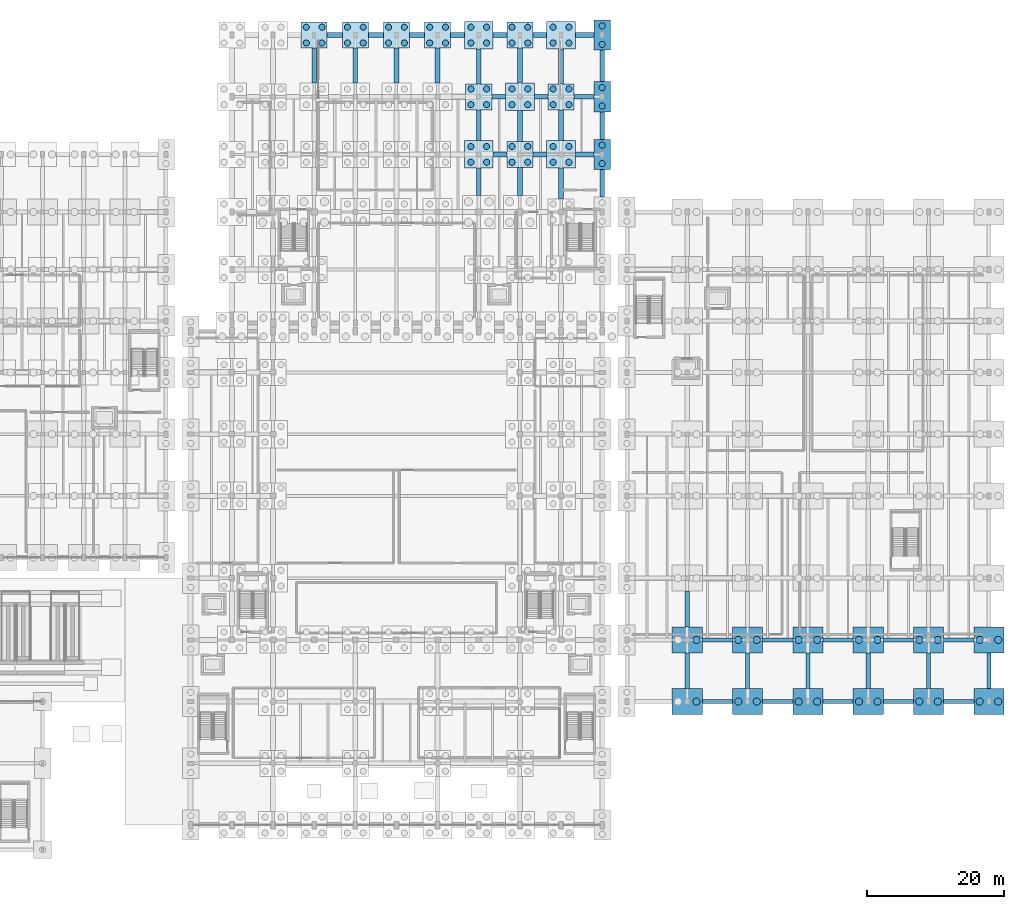
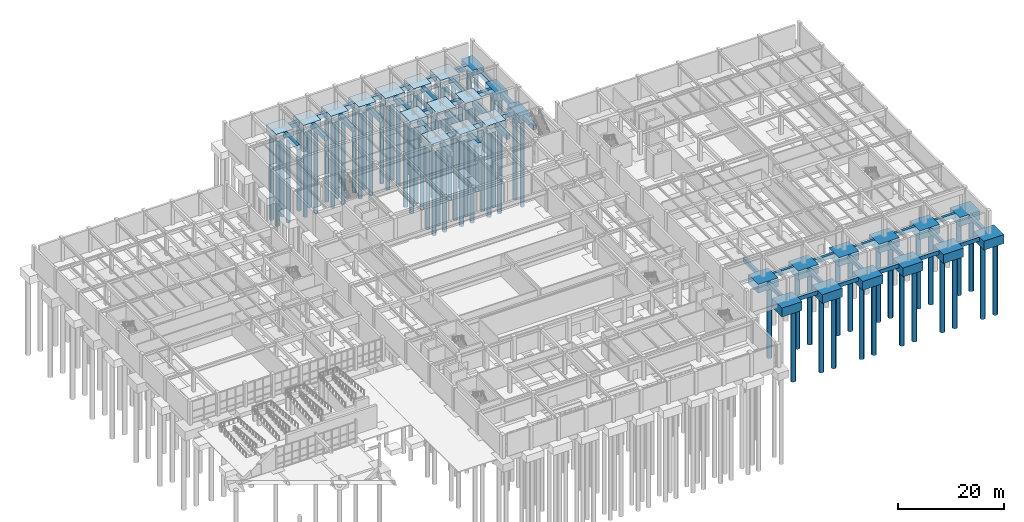
# One storey, part 9 of 69: 80 piles, 74 footings.
"""IFC4 building model written with IfcOpenShell, lengths in metres."""

import ifcopenshell
import ifcopenshell.guid

model = None  # the IFC model being written
_history = None  # IfcOwnerHistory: only IFC2X3 demands one
_inside = {}  # id of a spatial element -> (the spatial element, [elements in it])
_under = {}  # id of a project, library or spatial element -> (it, [spatial elements below it])
_declared = {}  # id of a project -> (the project, [libraries it declares])
_typed = {}  # id of a type object -> (the type object, [elements of that type])
_made_of = {}  # id of a material, layer set ... -> (it, [elements and type objects made of it])


def new_model(schema):
    """Start an empty IFC model of exactly this schema.

    Asked for "IFC4X3", IfcOpenShell would pick the latest addendum, in which some entities
    have other attributes; the version numbers below select the first issue.
    IFC2X3 requires an IfcOwnerHistory on every rooted entity: one is made here for all.
    """
    global model, _history
    if schema == "IFC4X3":
        model = ifcopenshell.file(schema_version=(4, 3, 0, 0))
    else:
        model = ifcopenshell.file(schema=schema)
    _inside.clear()
    _under.clear()
    _declared.clear()
    _typed.clear()
    _made_of.clear()
    _history = None
    if model.schema == "IFC2X3":
        org = make("IfcOrganization", Name="unknown")
        user = make(
            "IfcPersonAndOrganization",
            ThePerson=make("IfcPerson", FamilyName="unknown"),
            TheOrganization=org,
        )
        app = make(
            "IfcApplication",
            ApplicationDeveloper=org,
            Version="unknown",
            ApplicationFullName="unknown",
            ApplicationIdentifier="unknown",
        )
        _history = make(
            "IfcOwnerHistory",
            OwningUser=user,
            OwningApplication=app,
            ChangeAction="ADDED",
            CreationDate=0,
        )
    return model


def make(cls, **values):
    """One entity of the class cls with the attributes given. An attribute that is None is left unset."""
    return model.create_entity(
        cls, **{name: value for name, value in values.items() if value is not None}
    )


def rooted(cls, **values):
    """An entity with a GlobalId (a new one), such as an element, a storey or a relation."""
    return make(cls, GlobalId=ifcopenshell.guid.new(), OwnerHistory=_history, **values)


def si_unit(unit_type, name, prefix=None):
    """IfcSIUnit, for example si_unit("LENGTHUNIT", "METRE", prefix="MILLI")."""
    return make("IfcSIUnit", UnitType=unit_type, Prefix=prefix, Name=name)


def assignment(units):
    """IfcUnitAssignment: the units of a project."""
    return None if units is None else make("IfcUnitAssignment", Units=units)


def point(xyz):
    """IfcCartesianPoint."""
    return None if xyz is None else make("IfcCartesianPoint", Coordinates=xyz)


def direction(xyz):
    """IfcDirection."""
    return None if xyz is None else make("IfcDirection", DirectionRatios=xyz)


def frame(location, z_axis=None, x_axis=None):
    """IfcAxis2Placement3D, a coordinate frame: its origin and axes. An axis left out is left unset."""
    return make(
        "IfcAxis2Placement3D",
        Location=point(location),
        Axis=direction(z_axis),
        RefDirection=direction(x_axis),
    )


def frame_2d(location, x_axis=None):
    """IfcAxis2Placement2D, a coordinate frame in the plane: its origin and x axis."""
    return make(
        "IfcAxis2Placement2D", Location=point(location), RefDirection=direction(x_axis)
    )


def origin():
    """The frame at (0, 0, 0) with its axes left unset."""
    return frame((0.0, 0.0, 0.0))


def origin_2d():
    """The frame at (0, 0) in the plane with its x axis left unset."""
    return frame_2d((0.0, 0.0))


def place(relative_to, where):
    """IfcLocalPlacement: puts the frame where relative to a parent placement (None: the world)."""
    return make(
        "IfcLocalPlacement", PlacementRelTo=relative_to, RelativePlacement=where
    )


def context(
    kind, dimensions, precision=None, world=None, true_north=None, identifier=None
):
    """IfcGeometricRepresentationContext, for example the 3D "Model" context."""
    return make(
        "IfcGeometricRepresentationContext",
        ContextIdentifier=identifier,
        ContextType=kind,
        CoordinateSpaceDimension=dimensions,
        Precision=precision,
        WorldCoordinateSystem=world,
        TrueNorth=true_north,
    )


def subcontext(parent, identifier, kind, view, scale=None):
    """IfcGeometricRepresentationSubContext, for example "Body" below "Model"."""
    return make(
        "IfcGeometricRepresentationSubContext",
        ContextIdentifier=identifier,
        ContextType=kind,
        ParentContext=parent,
        TargetScale=scale,
        TargetView=view,
    )


def project(units=None, contexts=None):
    """IfcProject with its units and contexts."""
    return rooted(
        "IfcProject",
        Name="project",
        RepresentationContexts=contexts,
        UnitsInContext=assignment(units),
    )


def spatial(cls, under=None, at=None, **own):
    """A site, building, storey or space (cls), placed at a placement, below another one or the project."""
    s = rooted(cls, ObjectPlacement=at, **own)
    if under is not None:
        _under.setdefault(under.id(), (under, []))[1].append(s)
    return s


def profile(cls, at=None, kind="AREA", **sizes):
    """A parametric profile (cls). Its sizes go by their IFC names, for example OverallWidth=200.0."""
    return make(cls, ProfileType=kind, Position=at, **sizes)


def rectangle(**sizes):
    """IfcRectangleProfileDef."""
    return profile("IfcRectangleProfileDef", **sizes)


def circle(**sizes):
    """IfcCircleProfileDef."""
    return profile("IfcCircleProfileDef", **sizes)


def extrude(swept, where, along, depth):
    """IfcExtrudedAreaSolid: the profile swept, set in the frame where, extruded along a direction by depth."""
    return make(
        "IfcExtrudedAreaSolid",
        SweptArea=swept,
        Position=where,
        ExtrudedDirection=direction(along),
        Depth=depth,
    )


def shape(context_of_items, identifier, shape_type, items):
    """IfcShapeRepresentation: the items that make up one representation, for example the "Body"."""
    return make(
        "IfcShapeRepresentation",
        ContextOfItems=context_of_items,
        RepresentationIdentifier=identifier,
        RepresentationType=shape_type,
        Items=items,
    )


def material(Name=None, Category=None):
    """IfcMaterial."""
    return make("IfcMaterial", Name=Name, Category=Category)


def material_profile(
    of_material, cross_section, Name=None, Category=None, Priority=None
):
    """IfcMaterialProfile: a cross section and its material."""
    return make(
        "IfcMaterialProfile",
        Name=Name,
        Material=of_material,
        Profile=cross_section,
        Priority=Priority,
        Category=Category,
    )


def profile_set(profiles, Name=None, composite=None):
    """IfcMaterialProfileSet."""
    return make(
        "IfcMaterialProfileSet",
        Name=Name,
        MaterialProfiles=profiles,
        CompositeProfile=composite,
    )


def made_of(thing, what):
    """Note that an element or type object is made of a material, layer set ...; save() writes the relation."""
    if what is not None:
        _made_of.setdefault(what.id(), (what, []))[1].append(thing)
    return thing


def type_object(cls, material=None, **own):
    """A type object (cls), such as IfcWallType, which elements share."""
    return made_of(rooted(cls, **own), material)


def element(
    cls,
    number,
    at=None,
    inside=None,
    cuts=None,
    type_object=None,
    material=None,
    context=None,
    identifier="Body",
    shape_type=None,
    held_by="IfcProductDefinitionShape",
    body=None,
    shapes=None,
    **own,
):
    """One element of the class cls, such as IfcWall. Its Tag is "e" and its number.

    at: its placement. inside: the storey or other place that contains it. cuts: it is an
    opening in that element (IfcRelVoidsElement). A single representation is given by context,
    identifier, shape_type and body (its items); several are given by shapes. held_by: the class
    of the entity that holds the representations. save() writes the other relations.
    """
    e = rooted(cls, Tag="e%d" % number, ObjectPlacement=at, **own)
    if body is not None:
        shapes = [shape(context, identifier, shape_type, body)]
    if shapes is not None:
        e.Representation = make(held_by, Representations=shapes)
    if inside is not None:
        _inside.setdefault(inside.id(), (inside, []))[1].append(e)
    if cuts is not None:
        rooted(
            "IfcRelVoidsElement", RelatingBuildingElement=cuts, RelatedOpeningElement=e
        )
    if type_object is not None:
        _typed.setdefault(type_object.id(), (type_object, []))[1].append(e)
    return made_of(e, material)


def aggregate(whole, parts):
    """IfcRelAggregates: a whole, such as a stair, and the parts it consists of."""
    return rooted("IfcRelAggregates", RelatingObject=whole, RelatedObjects=parts)


def save(model, path):
    """Write the relations noted so far, then the file.

    IfcRelAggregates (storeys below a building ...), IfcRelContainedInSpatialStructure (elements
    in a storey), IfcRelDefinesByType, IfcRelAssociatesMaterial and IfcRelDeclares: one each for
    every whole, place, type object, material and project.
    """
    for whole, parts in _under.values():
        aggregate(whole, parts)
    for where, things in _inside.values():
        rooted(
            "IfcRelContainedInSpatialStructure",
            RelatedElements=things,
            RelatingStructure=where,
        )
    for kind, things in _typed.values():
        rooted("IfcRelDefinesByType", RelatedObjects=things, RelatingType=kind)
    for what, things in _made_of.values():
        rooted("IfcRelAssociatesMaterial", RelatedObjects=things, RelatingMaterial=what)
    for by, libraries in _declared.values():
        rooted("IfcRelDeclares", RelatingContext=by, RelatedDefinitions=libraries)
    model.write(path)


model = new_model("IFC4")

# Units and contexts
model_context = context("Model", 3, precision=1e-05, world=origin(), true_north=direction((0.0, 1.0)))
body_context = subcontext(model_context, "Body", "Model", "MODEL_VIEW")
ifc_project = project(units=[si_unit("LENGTHUNIT", "METRE"), si_unit("AREAUNIT", "SQUARE_METRE"), si_unit("VOLUMEUNIT", "CUBIC_METRE"), si_unit("PLANEANGLEUNIT", "RADIAN"), si_unit("MASSUNIT", "GRAM", prefix="KILO")], contexts=[model_context])

# Site, building, storey
site_placement = place(None, origin())
site = spatial("IfcSite", under=ifc_project, at=site_placement, CompositionType="ELEMENT")
building_placement = place(site_placement, origin())
building = spatial("IfcBuilding", under=site, at=building_placement, Name="Vaelkrest Opera House", CompositionType="ELEMENT")
storey_placement = place(building_placement, frame((0.0, 0.0, -5.39990234375)))
storey = spatial("IfcBuildingStorey", under=building, at=storey_placement, Name="B1", CompositionType="ELEMENT", Elevation=-5.39990234375)

# Footings
ifc_material = material(Name="Concrete C40/50", Category="concrete")
footing_type_1 = type_object("IfcFootingType", Name="FB01", PredefinedType="FOOTING_BEAM", material=ifc_material)
for number, where, z_axis, x_axis, name in (
    (1, (46.800048828125, -37.800048828125, -0.900146484375), (0.0, 0.0, 1.0), (1.0, 0.0, 0.0), "Footing tie beam FT-GB-0290"),
    (2, (55.60009765625, -37.800048828125, -0.900146484375), (0.0, 0.0, 1.0), (1.0, 0.0, 0.0), "Footing tie beam FT-GB-0291"),
    (3, (64.39990234375, -37.800048828125, -0.900146484375), (0.0, 0.0, 1.0), (1.0, 0.0, 0.0), "Footing tie beam FT-GB-0292"),
    (4, (73.199951171875, -37.800048828125, -0.900146484375), (0.0, 0.0, 1.0), (1.0, 0.0, 0.0), "Footing tie beam FT-GB-0293"),
    (5, (82.0, -37.800048828125, -0.900146484375), (0.0, 0.0, 1.0), (1.0, 0.0, 0.0), "Footing tie beam FT-GB-0294"),
    (6, (46.800048828125, -28.800048828125, -0.900146484375), (0.0, 0.0, 1.0), (1.0, 0.0, 0.0), "Footing tie beam FT-GB-0296"),
    (7, (55.60009765625, -28.800048828125, -0.900146484375), (0.0, 0.0, 1.0), (1.0, 0.0, 0.0), "Footing tie beam FT-GB-0297"),
    (8, (64.39990234375, -28.800048828125, -0.900146484375), (0.0, 0.0, 1.0), (1.0, 0.0, 0.0), "Footing tie beam FT-GB-0298"),
    (9, (73.199951171875, -28.800048828125, -0.900146484375), (0.0, 0.0, 1.0), (1.0, 0.0, 0.0), "Footing tie beam FT-GB-0299"),
    (10, (82.0, -28.800048828125, -0.900146484375), (0.0, 0.0, 1.0), (1.0, 0.0, 0.0), "Footing tie beam FT-GB-0300"),
):
    element("IfcFooting", number, at=place(storey_placement, frame(where, z_axis=z_axis, x_axis=x_axis)), inside=storey, type_object=footing_type_1, Name=name, PredefinedType="FOOTING_BEAM", context=body_context, shape_type="SweptSolid", body=[
        extrude(rectangle(XDim=4.39990234375, YDim=0.60009765625, at=origin_2d()), origin(), (0.0, 0.0, 1.0), 0.89990234375),
    ])
for number, where, z_axis, x_axis, name in (
    (11, (42.39990234375, -33.300048828125, -0.900146484375), (0.0, 0.0, 1.0), (0.0, 1.0, 0.0), "Footing tie beam FT-GB-0347"),
    (12, (42.39990234375, -24.300048828125, -0.900146484375), (0.0, 0.0, 1.0), (0.0, 1.0, 0.0), "Footing tie beam FT-GB-0348"),
    (13, (51.199951171875, -33.300048828125, -0.900146484375), (0.0, 0.0, 1.0), (0.0, 1.0, 0.0), "Footing tie beam FT-GB-0355"),
    (14, (60.0, -33.300048828125, -0.900146484375), (0.0, 0.0, 1.0), (0.0, 1.0, 0.0), "Footing tie beam FT-GB-0363"),
    (15, (68.800048828125, -33.300048828125, -0.900146484375), (0.0, 0.0, 1.0), (0.0, 1.0, 0.0), "Footing tie beam FT-GB-0368"),
    (16, (77.60009765625, -33.300048828125, -0.900146484375), (0.0, 0.0, 1.0), (0.0, 1.0, 0.0), "Footing tie beam FT-GB-0376"),
    (17, (86.39990234375, -33.300048828125, -0.900146484375), (0.0, 0.0, 1.0), (0.0, 1.0, 0.0), "Footing tie beam FT-GB-0384"),
):
    element("IfcFooting", number, at=place(storey_placement, frame(where, z_axis=z_axis, x_axis=x_axis)), inside=storey, type_object=footing_type_1, Name=name, PredefinedType="FOOTING_BEAM", context=body_context, shape_type="SweptSolid", body=[
        extrude(rectangle(XDim=5.199951171875, YDim=0.60009765625, at=origin_2d()), origin(), (0.0, 0.0, 1.0), 0.89990234375),
    ])
footing_type_2 = type_object("IfcFootingType", Name="FB02", PredefinedType="FOOTING_BEAM", material=ifc_material)
for number, where, z_axis, x_axis, name in (
    (18, (15.10009765625, 42.0, -1.05029296875), (0.0, 0.0, 1.0), (1.0, 0.0, 0.0), "Footing tie beam FT-GB-0124"),
    (19, (20.89990234375, 42.0, -1.05029296875), (0.0, 0.0, 1.0), (1.0, 0.0, 0.0), "Footing tie beam FT-GB-0125"),
):
    element("IfcFooting", number, at=place(storey_placement, frame(where, z_axis=z_axis, x_axis=x_axis)), inside=storey, type_object=footing_type_2, Name=name, PredefinedType="FOOTING_BEAM", context=body_context, shape_type="SweptSolid", body=[
        extrude(rectangle(XDim=2.0, YDim=0.699951171875, at=origin_2d()), origin(), (0.0, 0.0, 1.0), 1.050048828125),
    ])
footing_1_placement = place(storey_placement, frame((27.449951171875, 42.0, -1.05029296875), z_axis=(0.0, 0.0, 1.0), x_axis=(1.0, 0.0, 0.0)))
element("IfcFooting", 20, at=footing_1_placement, inside=storey, type_object=footing_type_2, Name="Footing tie beam FT-GB-0126", PredefinedType="FOOTING_BEAM", context=body_context, shape_type="SweptSolid", body=[
    extrude(rectangle(XDim=2.699951171875, YDim=0.699951171875, at=origin_2d()), origin(), (0.0, 0.0, 1.0), 1.050048828125),
])
for number, where, z_axis, x_axis, name in (
    (21, (14.89990234375, 50.39990234375, -1.05029296875), (0.0, 0.0, 1.0), (1.0, 0.0, 0.0), "Footing tie beam FT-GB-0133"),
    (22, (21.10009765625, 50.39990234375, -1.05029296875), (0.0, 0.0, 1.0), (1.0, 0.0, 0.0), "Footing tie beam FT-GB-0134"),
):
    element("IfcFooting", number, at=place(storey_placement, frame(where, z_axis=z_axis, x_axis=x_axis)), inside=storey, type_object=footing_type_2, Name=name, PredefinedType="FOOTING_BEAM", context=body_context, shape_type="SweptSolid", body=[
        extrude(rectangle(XDim=2.0, YDim=0.699951171875, at=origin_2d()), origin(), (0.0, 0.0, 1.0), 1.050048828125),
    ])
footing_2_placement = place(storey_placement, frame((27.35009765625, 50.39990234375, -1.05029296875), z_axis=(0.0, 0.0, 1.0), x_axis=(1.0, 0.0, 0.0)))
element("IfcFooting", 23, at=footing_2_placement, inside=storey, type_object=footing_type_2, Name="Footing tie beam FT-GB-0135", PredefinedType="FOOTING_BEAM", context=body_context, shape_type="SweptSolid", body=[
    extrude(rectangle(XDim=2.89990234375, YDim=0.699951171875, at=origin_2d()), origin(), (0.0, 0.0, 1.0), 1.050048828125),
])
for number, where, z_axis, x_axis, name in (
    (24, (-9.0, 59.39990234375, -1.05029296875), (0.0, 0.0, 1.0), (1.0, 0.0, 0.0), "Footing tie beam FT-GB-0138"),
    (25, (-3.0, 59.39990234375, -1.05029296875), (0.0, 0.0, 1.0), (1.0, 0.0, 0.0), "Footing tie beam FT-GB-0139"),
    (26, (3.0, 59.39990234375, -1.05029296875), (0.0, 0.0, 1.0), (1.0, 0.0, 0.0), "Footing tie beam FT-GB-0140"),
):
    element("IfcFooting", number, at=place(storey_placement, frame(where, z_axis=z_axis, x_axis=x_axis)), inside=storey, type_object=footing_type_2, Name=name, PredefinedType="FOOTING_BEAM", context=body_context, shape_type="SweptSolid", body=[
        extrude(rectangle(XDim=2.199951171875, YDim=0.699951171875, at=origin_2d()), origin(), (0.0, 0.0, 1.0), 1.050048828125),
    ])
for number, where, z_axis, x_axis, name in (
    (27, (8.89990234375, 59.39990234375, -1.05029296875), (0.0, 0.0, 1.0), (1.0, 0.0, 0.0), "Footing tie beam FT-GB-0141"),
    (28, (15.10009765625, 59.39990234375, -1.05029296875), (0.0, 0.0, 1.0), (1.0, 0.0, 0.0), "Footing tie beam FT-GB-0142"),
    (29, (20.89990234375, 59.39990234375, -1.05029296875), (0.0, 0.0, 1.0), (1.0, 0.0, 0.0), "Footing tie beam FT-GB-0143"),
):
    element("IfcFooting", number, at=place(storey_placement, frame(where, z_axis=z_axis, x_axis=x_axis)), inside=storey, type_object=footing_type_2, Name=name, PredefinedType="FOOTING_BEAM", context=body_context, shape_type="SweptSolid", body=[
        extrude(rectangle(XDim=2.0, YDim=0.699951171875, at=origin_2d()), origin(), (0.0, 0.0, 1.0), 1.050048828125),
    ])
footing_3_placement = place(storey_placement, frame((27.449951171875, 59.39990234375, -1.05029296875), z_axis=(0.0, 0.0, 1.0), x_axis=(1.0, 0.0, 0.0)))
element("IfcFooting", 30, at=footing_3_placement, inside=storey, type_object=footing_type_2, Name="Footing tie beam FT-GB-0144", PredefinedType="FOOTING_BEAM", context=body_context, shape_type="SweptSolid", body=[
    extrude(rectangle(XDim=2.699951171875, YDim=0.699951171875, at=origin_2d()), origin(), (0.0, 0.0, 1.0), 1.050048828125),
])
for number, where, z_axis, x_axis, name in (
    (31, (-12.0, 54.949951171875, -1.05029296875), (0.0, 0.0, 1.0), (0.0, 1.0, 0.0), "Footing tie beam FT-GB-0159"),
    (32, (-6.0, 54.949951171875, -1.05029296875), (0.0, 0.0, 1.0), (0.0, 1.0, 0.0), "Footing tie beam FT-GB-0162"),
    (33, (0.0, 54.949951171875, -1.05029296875), (0.0, 0.0, 1.0), (0.0, 1.0, 0.0), "Footing tie beam FT-GB-0165"),
    (34, (6.0, 54.949951171875, -1.05029296875), (0.0, 0.0, 1.0), (0.0, 1.0, 0.0), "Footing tie beam FT-GB-0168"),
):
    element("IfcFooting", number, at=place(storey_placement, frame(where, z_axis=z_axis, x_axis=x_axis)), inside=storey, type_object=footing_type_2, Name=name, PredefinedType="FOOTING_BEAM", context=body_context, shape_type="SweptSolid", body=[
        extrude(rectangle(XDim=5.10009765625, YDim=0.699951171875, at=origin_2d()), origin(), (0.0, 0.0, 1.0), 1.050048828125),
    ])
footing_4_placement = place(storey_placement, frame((12.0, 38.0, -1.05029296875), z_axis=(0.0, 0.0, 1.0), x_axis=(0.0, 1.0, 0.0)))
element("IfcFooting", 35, at=footing_4_placement, inside=storey, type_object=footing_type_2, Name="Footing tie beam FT-GB-0171", PredefinedType="FOOTING_BEAM", context=body_context, shape_type="SweptSolid", body=[
    extrude(rectangle(XDim=4.0, YDim=0.699951171875, at=origin_2d()), origin(), (0.0, 0.0, 1.0), 1.050048828125),
])
footing_5_placement = place(storey_placement, frame((12.0, 46.25, -1.05029296875), z_axis=(0.0, 0.0, 1.0), x_axis=(0.0, 1.0, 0.0)))
element("IfcFooting", 36, at=footing_5_placement, inside=storey, type_object=footing_type_2, Name="Footing tie beam FT-GB-0172", PredefinedType="FOOTING_BEAM", context=body_context, shape_type="SweptSolid", body=[
    extrude(rectangle(XDim=4.5, YDim=0.699951171875, at=origin_2d()), origin(), (0.0, 0.0, 1.0), 1.050048828125),
])
footing_6_placement = place(storey_placement, frame((12.0, 54.85009765625, -1.05029296875), z_axis=(0.0, 0.0, 1.0), x_axis=(0.0, 1.0, 0.0)))
element("IfcFooting", 37, at=footing_6_placement, inside=storey, type_object=footing_type_2, Name="Footing tie beam FT-GB-0173", PredefinedType="FOOTING_BEAM", context=body_context, shape_type="SweptSolid", body=[
    extrude(rectangle(XDim=5.10009765625, YDim=0.699951171875, at=origin_2d()), origin(), (0.0, 0.0, 1.0), 1.050048828125),
])
footing_7_placement = place(storey_placement, frame((18.0, 38.050048828125, -1.05029296875), z_axis=(0.0, 0.0, 1.0), x_axis=(0.0, 1.0, 0.0)))
element("IfcFooting", 38, at=footing_7_placement, inside=storey, type_object=footing_type_2, Name="Footing tie beam FT-GB-0176", PredefinedType="FOOTING_BEAM", context=body_context, shape_type="SweptSolid", body=[
    extrude(rectangle(XDim=4.10009765625, YDim=0.699951171875, at=origin_2d()), origin(), (0.0, 0.0, 1.0), 1.050048828125),
])
footing_8_placement = place(storey_placement, frame((18.0, 46.14990234375, -1.05029296875), z_axis=(0.0, 0.0, 1.0), x_axis=(0.0, 1.0, 0.0)))
element("IfcFooting", 39, at=footing_8_placement, inside=storey, type_object=footing_type_2, Name="Footing tie beam FT-GB-0177", PredefinedType="FOOTING_BEAM", context=body_context, shape_type="SweptSolid", body=[
    extrude(rectangle(XDim=4.5, YDim=0.699951171875, at=origin_2d()), origin(), (0.0, 0.0, 1.0), 1.050048828125),
])
footing_9_placement = place(storey_placement, frame((18.0, 54.949951171875, -1.05029296875), z_axis=(0.0, 0.0, 1.0), x_axis=(0.0, 1.0, 0.0)))
element("IfcFooting", 40, at=footing_9_placement, inside=storey, type_object=footing_type_2, Name="Footing tie beam FT-GB-0178", PredefinedType="FOOTING_BEAM", context=body_context, shape_type="SweptSolid", body=[
    extrude(rectangle(XDim=5.10009765625, YDim=0.699951171875, at=origin_2d()), origin(), (0.0, 0.0, 1.0), 1.050048828125),
])
for number, where, z_axis, x_axis, name in (
    (41, (24.0, 37.75, -1.05029296875), (0.0, 0.0, 1.0), (0.0, 1.0, 0.0), "Footing tie beam FT-GB-0181"),
    (42, (24.0, 46.25, -1.05029296875), (0.0, 0.0, 1.0), (0.0, 1.0, 0.0), "Footing tie beam FT-GB-0182"),
):
    element("IfcFooting", number, at=place(storey_placement, frame(where, z_axis=z_axis, x_axis=x_axis)), inside=storey, type_object=footing_type_2, Name=name, PredefinedType="FOOTING_BEAM", context=body_context, shape_type="SweptSolid", body=[
        extrude(rectangle(XDim=4.5, YDim=0.699951171875, at=origin_2d()), origin(), (0.0, 0.0, 1.0), 1.050048828125),
    ])
footing_10_placement = place(storey_placement, frame((24.0, 54.85009765625, -1.05029296875), z_axis=(0.0, 0.0, 1.0), x_axis=(0.0, 1.0, 0.0)))
element("IfcFooting", 43, at=footing_10_placement, inside=storey, type_object=footing_type_2, Name="Footing tie beam FT-GB-0183", PredefinedType="FOOTING_BEAM", context=body_context, shape_type="SweptSolid", body=[
    extrude(rectangle(XDim=5.10009765625, YDim=0.699951171875, at=origin_2d()), origin(), (0.0, 0.0, 1.0), 1.050048828125),
])
for number, where, z_axis, x_axis, name in (
    (44, (30.0, 37.800048828125, -1.05029296875), (0.0, 0.0, 1.0), (0.0, 1.0, 0.0), "Footing tie beam FT-GB-0186"),
    (45, (30.0, 46.199951171875, -1.05029296875), (0.0, 0.0, 1.0), (0.0, 1.0, 0.0), "Footing tie beam FT-GB-0187"),
):
    element("IfcFooting", number, at=place(storey_placement, frame(where, z_axis=z_axis, x_axis=x_axis)), inside=storey, type_object=footing_type_2, Name=name, PredefinedType="FOOTING_BEAM", context=body_context, shape_type="SweptSolid", body=[
        extrude(rectangle(XDim=4.0, YDim=0.699951171875, at=origin_2d()), origin(), (0.0, 0.0, 1.0), 1.050048828125),
    ])
footing_11_placement = place(storey_placement, frame((30.0, 54.89990234375, -1.05029296875), z_axis=(0.0, 0.0, 1.0), x_axis=(0.0, 1.0, 0.0)))
element("IfcFooting", 46, at=footing_11_placement, inside=storey, type_object=footing_type_2, Name="Footing tie beam FT-GB-0188", PredefinedType="FOOTING_BEAM", context=body_context, shape_type="SweptSolid", body=[
    extrude(rectangle(XDim=4.60009765625, YDim=0.699951171875, at=origin_2d()), origin(), (0.0, 0.0, 1.0), 1.050048828125),
])
footing_type_3 = type_object("IfcFootingType", Name="PC02", PredefinedType="PILE_CAP", material=ifc_material)
for number, where, z_axis, x_axis, name in (
    (47, (-12.0, 59.39990234375, -1.650146484375), (0.0, 0.0, 1.0), (1.0, 0.0, 0.0), "Pile cap FT-CAP-084"),
    (48, (-6.0, 59.39990234375, -1.650146484375), (0.0, 0.0, 1.0), (1.0, 0.0, 0.0), "Pile cap FT-CAP-088"),
    (49, (0.0, 59.39990234375, -1.650146484375), (0.0, 0.0, 1.0), (1.0, 0.0, 0.0), "Pile cap FT-CAP-092"),
    (50, (6.0, 59.39990234375, -1.650146484375), (0.0, 0.0, 1.0), (1.0, 0.0, 0.0), "Pile cap FT-CAP-096"),
    (51, (12.0, 50.39990234375, -1.650146484375), (0.0, 0.0, 1.0), (1.0, 0.0, 0.0), "Pile cap FT-CAP-100"),
    (52, (18.0, 42.0, -1.650146484375), (0.0, 0.0, 1.0), (1.0, 0.0, 0.0), "Pile cap FT-CAP-104"),
    (53, (18.0, 59.39990234375, -1.650146484375), (0.0, 0.0, 1.0), (1.0, 0.0, 0.0), "Pile cap FT-CAP-106"),
    (54, (24.0, 50.39990234375, -1.650146484375), (0.0, 0.0, 1.0), (1.0, 0.0, 0.0), "Pile cap FT-CAP-110"),
):
    element("IfcFooting", number, at=place(storey_placement, frame(where, z_axis=z_axis, x_axis=x_axis)), inside=storey, type_object=footing_type_3, Name=name, PredefinedType="PILE_CAP", context=body_context, shape_type="SweptSolid", body=[
        extrude(rectangle(XDim=3.800048828125, YDim=3.800048828125, at=origin_2d()), origin(), (0.0, 0.0, 1.0), 1.64990234375),
    ])
footing_type_4 = type_object("IfcFootingType", Name="PC04", PredefinedType="PILE_CAP", material=ifc_material)
for number, where, z_axis, x_axis, name in (
    (55, (12.0, 42.0, -1.900146484375), (0.0, 0.0, 1.0), (1.0, 0.0, 0.0), "Pile cap FT-CAP-099"),
    (56, (12.0, 59.39990234375, -1.900146484375), (0.0, 0.0, 1.0), (1.0, 0.0, 0.0), "Pile cap FT-CAP-101"),
    (57, (18.0, 50.39990234375, -1.900146484375), (0.0, 0.0, 1.0), (1.0, 0.0, 0.0), "Pile cap FT-CAP-105"),
    (58, (24.0, 42.0, -1.900146484375), (0.0, 0.0, 1.0), (1.0, 0.0, 0.0), "Pile cap FT-CAP-109"),
    (59, (24.0, 59.39990234375, -1.900146484375), (0.0, 0.0, 1.0), (1.0, 0.0, 0.0), "Pile cap FT-CAP-111"),
):
    element("IfcFooting", number, at=place(storey_placement, frame(where, z_axis=z_axis, x_axis=x_axis)), inside=storey, type_object=footing_type_4, Name=name, PredefinedType="PILE_CAP", context=body_context, shape_type="SweptSolid", body=[
        extrude(rectangle(XDim=4.199951171875, YDim=4.0, at=origin_2d()), origin(), (0.0, 0.0, 1.0), 1.89990234375),
    ])
footing_type_5 = type_object("IfcFootingType", Name="PC05", PredefinedType="PILE_CAP", material=ifc_material)
for number, where, z_axis, x_axis, name in (
    (60, (42.39990234375, -37.800048828125, -2.05029296875), (0.0, 0.0, 1.0), (1.0, 0.0, 0.0), "Pile cap FT-CAP-186"),
    (61, (42.39990234375, -28.800048828125, -2.05029296875), (0.0, 0.0, 1.0), (1.0, 0.0, 0.0), "Pile cap FT-CAP-187"),
    (62, (51.199951171875, -37.800048828125, -2.05029296875), (0.0, 0.0, 1.0), (1.0, 0.0, 0.0), "Pile cap FT-CAP-195"),
    (63, (51.199951171875, -28.800048828125, -2.05029296875), (0.0, 0.0, 1.0), (1.0, 0.0, 0.0), "Pile cap FT-CAP-196"),
    (64, (60.0, -37.800048828125, -2.05029296875), (0.0, 0.0, 1.0), (1.0, 0.0, 0.0), "Pile cap FT-CAP-204"),
    (65, (60.0, -28.800048828125, -2.05029296875), (0.0, 0.0, 1.0), (1.0, 0.0, 0.0), "Pile cap FT-CAP-205"),
    (66, (68.800048828125, -37.800048828125, -2.05029296875), (0.0, 0.0, 1.0), (1.0, 0.0, 0.0), "Pile cap FT-CAP-211"),
    (67, (68.800048828125, -28.800048828125, -2.05029296875), (0.0, 0.0, 1.0), (1.0, 0.0, 0.0), "Pile cap FT-CAP-212"),
    (68, (77.60009765625, -37.800048828125, -2.05029296875), (0.0, 0.0, 1.0), (1.0, 0.0, 0.0), "Pile cap FT-CAP-220"),
    (69, (77.60009765625, -28.800048828125, -2.05029296875), (0.0, 0.0, 1.0), (1.0, 0.0, 0.0), "Pile cap FT-CAP-221"),
    (70, (86.39990234375, -37.800048828125, -2.05029296875), (0.0, 0.0, 1.0), (1.0, 0.0, 0.0), "Pile cap FT-CAP-229"),
    (71, (86.39990234375, -28.800048828125, -2.05029296875), (0.0, 0.0, 1.0), (1.0, 0.0, 0.0), "Pile cap FT-CAP-230"),
):
    element("IfcFooting", number, at=place(storey_placement, frame(where, z_axis=z_axis, x_axis=x_axis)), inside=storey, type_object=footing_type_5, Name=name, PredefinedType="PILE_CAP", context=body_context, shape_type="SweptSolid", body=[
        extrude(rectangle(XDim=4.39990234375, YDim=3.800048828125, at=origin_2d()), origin(), (0.0, 0.0, 1.0), 2.050048828125),
    ])
footing_type_6 = type_object("IfcFootingType", Name="PC08", PredefinedType="PILE_CAP", material=ifc_material)
for number, where, z_axis, x_axis, name in (
    (72, (30.0, 42.0, -1.75), (0.0, 0.0, 1.0), (1.0, 0.0, 0.0), "Pile cap FT-CAP-114"),
    (73, (30.0, 50.39990234375, -1.75), (0.0, 0.0, 1.0), (1.0, 0.0, 0.0), "Pile cap FT-CAP-115"),
    (74, (30.0, 59.39990234375, -1.75), (0.0, 0.0, 1.0), (1.0, 0.0, 0.0), "Pile cap FT-CAP-116"),
):
    element("IfcFooting", number, at=place(storey_placement, frame(where, z_axis=z_axis, x_axis=x_axis)), inside=storey, type_object=footing_type_6, Name=name, PredefinedType="PILE_CAP", context=body_context, shape_type="SweptSolid", body=[
        extrude(rectangle(XDim=2.39990234375, YDim=4.39990234375, at=origin_2d()), origin(), (0.0, 0.0, 1.0), 1.75),
    ])

# Piles
ifc_material_profile_1 = material_profile(ifc_material, circle(Radius=0.449951171875, at=origin_2d()), Name="PILE900")
ifc_profile_set_1 = profile_set([ifc_material_profile_1], Name="Concrete C40/50")
pile_type_1 = type_object("IfcPileType", Name="PL01", PredefinedType="BORED", material=ifc_profile_set_1)
for number, where, z_axis, x_axis, name in (
    (75, (-13.14990234375, 58.25, -1.550048828125), (0.0, 0.0, -1.0), (1.0, 0.0, 0.0), "Bored pile PL-0299"),
    (76, (-10.85009765625, 58.25, -1.550048828125), (0.0, 0.0, -1.0), (1.0, 0.0, 0.0), "Bored pile PL-0300"),
    (77, (-13.14990234375, 60.550048828125, -1.550048828125), (0.0, 0.0, -1.0), (1.0, 0.0, 0.0), "Bored pile PL-0301"),
    (78, (-10.85009765625, 60.550048828125, -1.550048828125), (0.0, 0.0, -1.0), (1.0, 0.0, 0.0), "Bored pile PL-0302"),
    (79, (-7.14990234375, 58.25, -1.550048828125), (0.0, 0.0, -1.0), (1.0, 0.0, 0.0), "Bored pile PL-0315"),
    (80, (-4.85009765625, 58.25, -1.550048828125), (0.0, 0.0, -1.0), (1.0, 0.0, 0.0), "Bored pile PL-0316"),
    (81, (-7.14990234375, 60.550048828125, -1.550048828125), (0.0, 0.0, -1.0), (1.0, 0.0, 0.0), "Bored pile PL-0317"),
    (82, (-4.85009765625, 60.550048828125, -1.550048828125), (0.0, 0.0, -1.0), (1.0, 0.0, 0.0), "Bored pile PL-0318"),
    (83, (-1.14990234375, 58.25, -1.550048828125), (0.0, 0.0, -1.0), (1.0, 0.0, 0.0), "Bored pile PL-0331"),
    (84, (1.14990234375, 58.25, -1.550048828125), (0.0, 0.0, -1.0), (1.0, 0.0, 0.0), "Bored pile PL-0332"),
    (85, (-1.14990234375, 60.550048828125, -1.550048828125), (0.0, 0.0, -1.0), (1.0, 0.0, 0.0), "Bored pile PL-0333"),
    (86, (1.14990234375, 60.550048828125, -1.550048828125), (0.0, 0.0, -1.0), (1.0, 0.0, 0.0), "Bored pile PL-0334"),
    (87, (4.85009765625, 58.25, -1.550048828125), (0.0, 0.0, -1.0), (1.0, 0.0, 0.0), "Bored pile PL-0347"),
    (88, (7.14990234375, 58.25, -1.550048828125), (0.0, 0.0, -1.0), (1.0, 0.0, 0.0), "Bored pile PL-0348"),
    (89, (4.85009765625, 60.550048828125, -1.550048828125), (0.0, 0.0, -1.0), (1.0, 0.0, 0.0), "Bored pile PL-0349"),
    (90, (7.14990234375, 60.550048828125, -1.550048828125), (0.0, 0.0, -1.0), (1.0, 0.0, 0.0), "Bored pile PL-0350"),
):
    element("IfcPile", number, at=place(storey_placement, frame(where, z_axis=z_axis, x_axis=x_axis)), inside=storey, type_object=pile_type_1, Name=name, PredefinedType="BORED", context=body_context, shape_type="SweptSolid", body=[
        extrude(circle(Radius=0.449951171875, at=origin_2d()), origin(), (0.0, 0.0, 1.0), 20.050048828125),
    ])
for number, where, z_axis, x_axis, name in (
    (91, (10.85009765625, 40.85009765625, -1.800048828125), (0.0, 0.0, -1.0), (1.0, 0.0, 0.0), "Bored pile PL-0359"),
    (92, (13.14990234375, 40.85009765625, -1.800048828125), (0.0, 0.0, -1.0), (1.0, 0.0, 0.0), "Bored pile PL-0360"),
    (93, (10.85009765625, 43.14990234375, -1.800048828125), (0.0, 0.0, -1.0), (1.0, 0.0, 0.0), "Bored pile PL-0361"),
    (94, (13.14990234375, 43.14990234375, -1.800048828125), (0.0, 0.0, -1.0), (1.0, 0.0, 0.0), "Bored pile PL-0362"),
):
    element("IfcPile", number, at=place(storey_placement, frame(where, z_axis=z_axis, x_axis=x_axis)), inside=storey, type_object=pile_type_1, Name=name, PredefinedType="BORED", context=body_context, shape_type="SweptSolid", body=[
        extrude(circle(Radius=0.449951171875, at=origin_2d()), origin(), (0.0, 0.0, 1.0), 19.800048828125),
    ])
for number, where, z_axis, x_axis, name in (
    (95, (10.85009765625, 49.25, -1.550048828125), (0.0, 0.0, -1.0), (1.0, 0.0, 0.0), "Bored pile PL-0363"),
    (96, (13.14990234375, 49.25, -1.550048828125), (0.0, 0.0, -1.0), (1.0, 0.0, 0.0), "Bored pile PL-0364"),
    (97, (10.85009765625, 51.550048828125, -1.550048828125), (0.0, 0.0, -1.0), (1.0, 0.0, 0.0), "Bored pile PL-0365"),
    (98, (13.14990234375, 51.550048828125, -1.550048828125), (0.0, 0.0, -1.0), (1.0, 0.0, 0.0), "Bored pile PL-0366"),
):
    element("IfcPile", number, at=place(storey_placement, frame(where, z_axis=z_axis, x_axis=x_axis)), inside=storey, type_object=pile_type_1, Name=name, PredefinedType="BORED", context=body_context, shape_type="SweptSolid", body=[
        extrude(circle(Radius=0.449951171875, at=origin_2d()), origin(), (0.0, 0.0, 1.0), 20.050048828125),
    ])
for number, where, z_axis, x_axis, name in (
    (99, (10.85009765625, 58.25, -1.800048828125), (0.0, 0.0, -1.0), (1.0, 0.0, 0.0), "Bored pile PL-0367"),
    (100, (13.14990234375, 58.25, -1.800048828125), (0.0, 0.0, -1.0), (1.0, 0.0, 0.0), "Bored pile PL-0368"),
    (101, (10.85009765625, 60.550048828125, -1.800048828125), (0.0, 0.0, -1.0), (1.0, 0.0, 0.0), "Bored pile PL-0369"),
    (102, (13.14990234375, 60.550048828125, -1.800048828125), (0.0, 0.0, -1.0), (1.0, 0.0, 0.0), "Bored pile PL-0370"),
):
    element("IfcPile", number, at=place(storey_placement, frame(where, z_axis=z_axis, x_axis=x_axis)), inside=storey, type_object=pile_type_1, Name=name, PredefinedType="BORED", context=body_context, shape_type="SweptSolid", body=[
        extrude(circle(Radius=0.449951171875, at=origin_2d()), origin(), (0.0, 0.0, 1.0), 19.800048828125),
    ])
for number, where, z_axis, x_axis, name in (
    (103, (16.85009765625, 40.85009765625, -1.550048828125), (0.0, 0.0, -1.0), (1.0, 0.0, 0.0), "Bored pile PL-0379"),
    (104, (19.14990234375, 40.85009765625, -1.550048828125), (0.0, 0.0, -1.0), (1.0, 0.0, 0.0), "Bored pile PL-0380"),
    (105, (16.85009765625, 43.14990234375, -1.550048828125), (0.0, 0.0, -1.0), (1.0, 0.0, 0.0), "Bored pile PL-0381"),
    (106, (19.14990234375, 43.14990234375, -1.550048828125), (0.0, 0.0, -1.0), (1.0, 0.0, 0.0), "Bored pile PL-0382"),
):
    element("IfcPile", number, at=place(storey_placement, frame(where, z_axis=z_axis, x_axis=x_axis)), inside=storey, type_object=pile_type_1, Name=name, PredefinedType="BORED", context=body_context, shape_type="SweptSolid", body=[
        extrude(circle(Radius=0.449951171875, at=origin_2d()), origin(), (0.0, 0.0, 1.0), 20.050048828125),
    ])
for number, where, z_axis, x_axis, name in (
    (107, (16.85009765625, 49.25, -1.800048828125), (0.0, 0.0, -1.0), (1.0, 0.0, 0.0), "Bored pile PL-0383"),
    (108, (19.14990234375, 49.25, -1.800048828125), (0.0, 0.0, -1.0), (1.0, 0.0, 0.0), "Bored pile PL-0384"),
    (109, (16.85009765625, 51.550048828125, -1.800048828125), (0.0, 0.0, -1.0), (1.0, 0.0, 0.0), "Bored pile PL-0385"),
    (110, (19.14990234375, 51.550048828125, -1.800048828125), (0.0, 0.0, -1.0), (1.0, 0.0, 0.0), "Bored pile PL-0386"),
):
    element("IfcPile", number, at=place(storey_placement, frame(where, z_axis=z_axis, x_axis=x_axis)), inside=storey, type_object=pile_type_1, Name=name, PredefinedType="BORED", context=body_context, shape_type="SweptSolid", body=[
        extrude(circle(Radius=0.449951171875, at=origin_2d()), origin(), (0.0, 0.0, 1.0), 19.800048828125),
    ])
for number, where, z_axis, x_axis, name in (
    (111, (16.85009765625, 58.25, -1.550048828125), (0.0, 0.0, -1.0), (1.0, 0.0, 0.0), "Bored pile PL-0387"),
    (112, (19.14990234375, 58.25, -1.550048828125), (0.0, 0.0, -1.0), (1.0, 0.0, 0.0), "Bored pile PL-0388"),
    (113, (16.85009765625, 60.550048828125, -1.550048828125), (0.0, 0.0, -1.0), (1.0, 0.0, 0.0), "Bored pile PL-0389"),
    (114, (19.14990234375, 60.550048828125, -1.550048828125), (0.0, 0.0, -1.0), (1.0, 0.0, 0.0), "Bored pile PL-0390"),
):
    element("IfcPile", number, at=place(storey_placement, frame(where, z_axis=z_axis, x_axis=x_axis)), inside=storey, type_object=pile_type_1, Name=name, PredefinedType="BORED", context=body_context, shape_type="SweptSolid", body=[
        extrude(circle(Radius=0.449951171875, at=origin_2d()), origin(), (0.0, 0.0, 1.0), 20.050048828125),
    ])
for number, where, z_axis, x_axis, name in (
    (115, (22.85009765625, 40.85009765625, -1.800048828125), (0.0, 0.0, -1.0), (1.0, 0.0, 0.0), "Bored pile PL-0399"),
    (116, (25.14990234375, 40.85009765625, -1.800048828125), (0.0, 0.0, -1.0), (1.0, 0.0, 0.0), "Bored pile PL-0400"),
    (117, (22.85009765625, 43.14990234375, -1.800048828125), (0.0, 0.0, -1.0), (1.0, 0.0, 0.0), "Bored pile PL-0401"),
    (118, (25.14990234375, 43.14990234375, -1.800048828125), (0.0, 0.0, -1.0), (1.0, 0.0, 0.0), "Bored pile PL-0402"),
):
    element("IfcPile", number, at=place(storey_placement, frame(where, z_axis=z_axis, x_axis=x_axis)), inside=storey, type_object=pile_type_1, Name=name, PredefinedType="BORED", context=body_context, shape_type="SweptSolid", body=[
        extrude(circle(Radius=0.449951171875, at=origin_2d()), origin(), (0.0, 0.0, 1.0), 19.800048828125),
    ])
for number, where, z_axis, x_axis, name in (
    (119, (22.85009765625, 49.25, -1.550048828125), (0.0, 0.0, -1.0), (1.0, 0.0, 0.0), "Bored pile PL-0403"),
    (120, (25.14990234375, 49.25, -1.550048828125), (0.0, 0.0, -1.0), (1.0, 0.0, 0.0), "Bored pile PL-0404"),
    (121, (22.85009765625, 51.550048828125, -1.550048828125), (0.0, 0.0, -1.0), (1.0, 0.0, 0.0), "Bored pile PL-0405"),
    (122, (25.14990234375, 51.550048828125, -1.550048828125), (0.0, 0.0, -1.0), (1.0, 0.0, 0.0), "Bored pile PL-0406"),
):
    element("IfcPile", number, at=place(storey_placement, frame(where, z_axis=z_axis, x_axis=x_axis)), inside=storey, type_object=pile_type_1, Name=name, PredefinedType="BORED", context=body_context, shape_type="SweptSolid", body=[
        extrude(circle(Radius=0.449951171875, at=origin_2d()), origin(), (0.0, 0.0, 1.0), 20.050048828125),
    ])
for number, where, z_axis, x_axis, name in (
    (123, (22.85009765625, 58.25, -1.800048828125), (0.0, 0.0, -1.0), (1.0, 0.0, 0.0), "Bored pile PL-0407"),
    (124, (25.14990234375, 58.25, -1.800048828125), (0.0, 0.0, -1.0), (1.0, 0.0, 0.0), "Bored pile PL-0408"),
    (125, (22.85009765625, 60.550048828125, -1.800048828125), (0.0, 0.0, -1.0), (1.0, 0.0, 0.0), "Bored pile PL-0409"),
    (126, (25.14990234375, 60.550048828125, -1.800048828125), (0.0, 0.0, -1.0), (1.0, 0.0, 0.0), "Bored pile PL-0410"),
):
    element("IfcPile", number, at=place(storey_placement, frame(where, z_axis=z_axis, x_axis=x_axis)), inside=storey, type_object=pile_type_1, Name=name, PredefinedType="BORED", context=body_context, shape_type="SweptSolid", body=[
        extrude(circle(Radius=0.449951171875, at=origin_2d()), origin(), (0.0, 0.0, 1.0), 19.800048828125),
    ])
for number, where, z_axis, x_axis, name in (
    (127, (30.0, 40.64990234375, -1.650146484375), (0.0, 0.0, -1.0), (1.0, 0.0, 0.0), "Bored pile PL-0415"),
    (128, (30.0, 43.35009765625, -1.650146484375), (0.0, 0.0, -1.0), (1.0, 0.0, 0.0), "Bored pile PL-0416"),
    (129, (30.0, 49.050048828125, -1.650146484375), (0.0, 0.0, -1.0), (1.0, 0.0, 0.0), "Bored pile PL-0417"),
    (130, (30.0, 51.75, -1.650146484375), (0.0, 0.0, -1.0), (1.0, 0.0, 0.0), "Bored pile PL-0418"),
    (131, (30.0, 58.050048828125, -1.650146484375), (0.0, 0.0, -1.0), (1.0, 0.0, 0.0), "Bored pile PL-0419"),
    (132, (30.0, 60.75, -1.650146484375), (0.0, 0.0, -1.0), (1.0, 0.0, 0.0), "Bored pile PL-0420"),
):
    element("IfcPile", number, at=place(storey_placement, frame(where, z_axis=z_axis, x_axis=x_axis)), inside=storey, type_object=pile_type_1, Name=name, PredefinedType="BORED", context=body_context, shape_type="SweptSolid", body=[
        extrude(circle(Radius=0.449951171875, at=origin_2d()), origin(), (0.0, 0.0, 1.0), 19.949951171875),
    ])
ifc_material_profile_2 = material_profile(ifc_material, circle(Radius=0.52490234375, at=origin_2d()), Name="PILE1050")
ifc_profile_set_2 = profile_set([ifc_material_profile_2], Name="Concrete C40/50")
pile_type_2 = type_object("IfcPileType", Name="PL02", PredefinedType="BORED", material=ifc_profile_set_2)
for number, where, z_axis, x_axis, name in (
    (133, (43.75, -37.800048828125, -1.9501953125), (0.0, 0.0, -1.0), (1.0, 0.0, 0.0), "Bored pile PL-0560"),
    (134, (43.75, -28.800048828125, -1.9501953125), (0.0, 0.0, -1.0), (1.0, 0.0, 0.0), "Bored pile PL-0562"),
    (135, (49.85009765625, -37.800048828125, -1.9501953125), (0.0, 0.0, -1.0), (1.0, 0.0, 0.0), "Bored pile PL-0577"),
    (136, (52.550048828125, -37.800048828125, -1.9501953125), (0.0, 0.0, -1.0), (1.0, 0.0, 0.0), "Bored pile PL-0578"),
    (137, (49.85009765625, -28.800048828125, -1.9501953125), (0.0, 0.0, -1.0), (1.0, 0.0, 0.0), "Bored pile PL-0579"),
    (138, (52.550048828125, -28.800048828125, -1.9501953125), (0.0, 0.0, -1.0), (1.0, 0.0, 0.0), "Bored pile PL-0580"),
    (139, (58.64990234375, -37.800048828125, -1.9501953125), (0.0, 0.0, -1.0), (1.0, 0.0, 0.0), "Bored pile PL-0595"),
    (140, (61.35009765625, -37.800048828125, -1.9501953125), (0.0, 0.0, -1.0), (1.0, 0.0, 0.0), "Bored pile PL-0596"),
    (141, (58.64990234375, -28.800048828125, -1.9501953125), (0.0, 0.0, -1.0), (1.0, 0.0, 0.0), "Bored pile PL-0597"),
    (142, (61.35009765625, -28.800048828125, -1.9501953125), (0.0, 0.0, -1.0), (1.0, 0.0, 0.0), "Bored pile PL-0598"),
    (143, (67.449951171875, -37.800048828125, -1.9501953125), (0.0, 0.0, -1.0), (1.0, 0.0, 0.0), "Bored pile PL-0609"),
    (144, (70.14990234375, -37.800048828125, -1.9501953125), (0.0, 0.0, -1.0), (1.0, 0.0, 0.0), "Bored pile PL-0610"),
    (145, (67.449951171875, -28.800048828125, -1.9501953125), (0.0, 0.0, -1.0), (1.0, 0.0, 0.0), "Bored pile PL-0611"),
    (146, (70.14990234375, -28.800048828125, -1.9501953125), (0.0, 0.0, -1.0), (1.0, 0.0, 0.0), "Bored pile PL-0612"),
    (147, (76.25, -37.800048828125, -1.9501953125), (0.0, 0.0, -1.0), (1.0, 0.0, 0.0), "Bored pile PL-0627"),
    (148, (78.949951171875, -37.800048828125, -1.9501953125), (0.0, 0.0, -1.0), (1.0, 0.0, 0.0), "Bored pile PL-0628"),
    (149, (76.25, -28.800048828125, -1.9501953125), (0.0, 0.0, -1.0), (1.0, 0.0, 0.0), "Bored pile PL-0629"),
    (150, (78.949951171875, -28.800048828125, -1.9501953125), (0.0, 0.0, -1.0), (1.0, 0.0, 0.0), "Bored pile PL-0630"),
    (151, (85.050048828125, -37.800048828125, -1.9501953125), (0.0, 0.0, -1.0), (1.0, 0.0, 0.0), "Bored pile PL-0645"),
    (152, (87.75, -37.800048828125, -1.9501953125), (0.0, 0.0, -1.0), (1.0, 0.0, 0.0), "Bored pile PL-0646"),
    (153, (85.050048828125, -28.800048828125, -1.9501953125), (0.0, 0.0, -1.0), (1.0, 0.0, 0.0), "Bored pile PL-0647"),
    (154, (87.75, -28.800048828125, -1.9501953125), (0.0, 0.0, -1.0), (1.0, 0.0, 0.0), "Bored pile PL-0648"),
):
    element("IfcPile", number, at=place(storey_placement, frame(where, z_axis=z_axis, x_axis=x_axis)), inside=storey, type_object=pile_type_2, Name=name, PredefinedType="BORED", context=body_context, shape_type="SweptSolid", body=[
        extrude(circle(Radius=0.52490234375, at=origin_2d()), origin(), (0.0, 0.0, 1.0), 17.14990234375),
    ])

save(model, "model.ifc")
